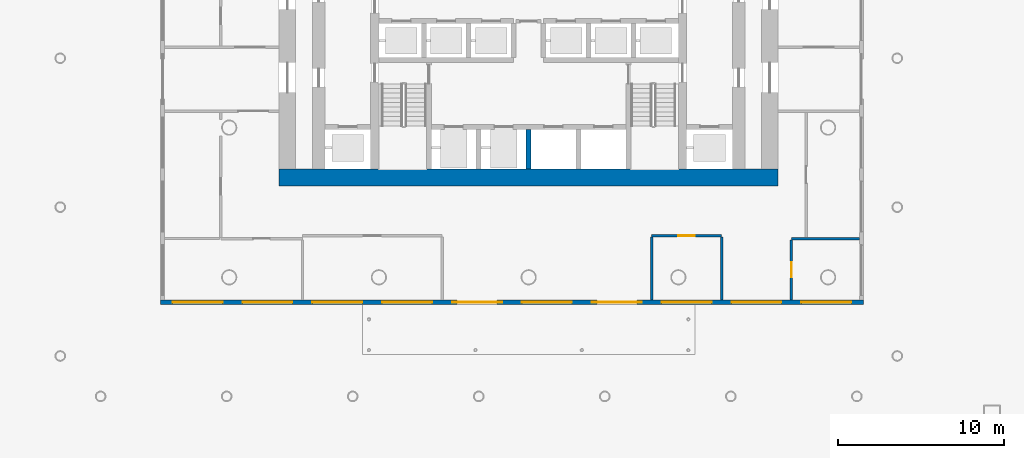
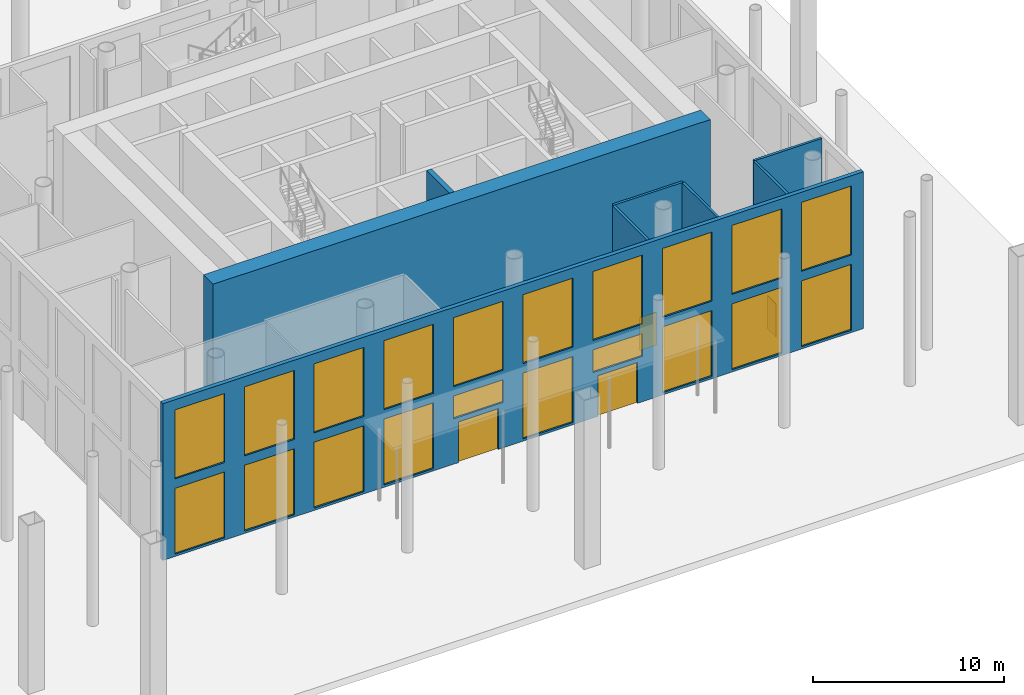
# One storey, part 10 of 18: 20 windows, 8 walls, 4 doors, 24 openings.
"""IFC4 building model written with IfcOpenShell, lengths in metres."""

from ifc_helpers import new_model, si_unit, direction, frame, frame_2d, origin, place, context, subcontext, project, spatial, rectangle, extrude, material, layer, layer_set, type_object, element, fill, save


model = new_model("IFC4")

# Units and contexts
model_context = context("Model", 3, precision=1e-05, world=origin(), true_north=direction((0.0, 1.0)))
body_context = subcontext(model_context, "Body", "Model", "MODEL_VIEW")
ifc_project = project(units=[si_unit("LENGTHUNIT", "METRE"), si_unit("AREAUNIT", "SQUARE_METRE"), si_unit("VOLUMEUNIT", "CUBIC_METRE"), si_unit("PLANEANGLEUNIT", "RADIAN"), si_unit("MASSUNIT", "GRAM", prefix="KILO")], contexts=[model_context])

# Site, building, storey
site_placement = place(None, origin())
site = spatial("IfcSite", under=ifc_project, at=site_placement, CompositionType="ELEMENT")
building_placement = place(site_placement, origin())
building = spatial("IfcBuilding", under=site, at=building_placement, Name="Tskaro Facet Tower", CompositionType="ELEMENT")
storey_placement = place(building_placement, origin())
storey = spatial("IfcBuildingStorey", under=building, at=storey_placement, Name="L00", CompositionType="ELEMENT", Elevation=0.0)

# Wall
ifc_material_1 = material(Name="Concrete C60/75", Category="concrete")
ifc_layer_1 = layer(ifc_material_1, 0.300048828125, Name="Concrete C60/75")
ifc_layer_set_1 = layer_set([ifc_layer_1], Name="Concrete C60/75")
wall_type_1 = type_object("IfcWallType", Name="CORE-SHAFT", PredefinedType="SHEAR", material=ifc_layer_set_1)
wall_1_placement = place(storey_placement, frame((0.0, -11.5, 0.0), z_axis=(0.0, 0.0, 1.0), x_axis=(0.0, 1.0, 0.0)))
element("IfcWall", 1, at=wall_1_placement, inside=storey, type_object=wall_type_1, Name="Shaft wall W049", PredefinedType="SHEAR", context=body_context, shape_type="SweptSolid", body=[
    extrude(rectangle(XDim=2.39990234375, YDim=0.300048828125, at=frame_2d((1.199951171875, 0.0))), origin(), (0.0, 0.0, 1.0), 10.800048828125),
])

# Wall, openings, windows, doors
ifc_material_2 = material(Name="Bronze anodised aluminium cladding 5005-H34", Category="aluminium")
ifc_layer_2 = layer(ifc_material_2, 0.25, Name="Bronze anodised aluminium cladding 5005-H34")
ifc_layer_set_2 = layer_set([ifc_layer_2], Name="Bronze anodised aluminium cladding 5005-H34")
wall_type_2 = type_object("IfcWallType", Name="Concourse frame wall", PredefinedType="STANDARD", material=ifc_layer_set_2)
wall_2_placement = place(storey_placement, frame((-22.125, -19.5, 0.0), z_axis=(0.0, 0.0, 1.0), x_axis=(1.0, 0.0, 0.0)))
wall_2 = element("IfcWall", 2, at=wall_2_placement, inside=storey, type_object=wall_type_2, Name="Concourse wall south", PredefinedType="STANDARD", context=body_context, shape_type="SweptSolid", body=[
    extrude(rectangle(XDim=42.25, YDim=0.25, at=frame_2d((21.125, 0.0))), origin(), (0.0, 0.0, 1.0), 10.0),
])
opening_1_placement = place(wall_2_placement, frame((0.72509765625, 0.0, 0.14990234375)))
opening_1 = element("IfcOpeningElement", 3, at=opening_1_placement, cuts=wall_2, Name="Opening GW1", PredefinedType="OPENING", context=body_context, shape_type="SweptSolid", body=[
    extrude(rectangle(XDim=3.0, YDim=4.199951171875, at=frame_2d((1.5, 2.10009765625))), frame((0.0, 0.135009765625, 0.0), z_axis=(0.0, -1.0, 0.0), x_axis=(1.0, 0.0, 0.0)), (0.0, 0.0, 1.0), 0.27001953125),
])
opening_2_placement = place(wall_2_placement, frame((0.72509765625, 0.0, 4.949951171875)))
opening_2 = element("IfcOpeningElement", 4, at=opening_2_placement, cuts=wall_2, Name="Opening GW2", PredefinedType="OPENING", context=body_context, shape_type="SweptSolid", body=[
    extrude(rectangle(XDim=3.0, YDim=4.39990234375, at=frame_2d((1.5, 2.199951171875))), frame((0.0, 0.135009765625, 0.0), z_axis=(0.0, -1.0, 0.0), x_axis=(1.0, 0.0, 0.0)), (0.0, 0.0, 1.0), 0.27001953125),
])
opening_3_placement = place(wall_2_placement, frame((4.925048828125, 0.0, 0.14990234375)))
opening_3 = element("IfcOpeningElement", 5, at=opening_3_placement, cuts=wall_2, Name="Opening GW1", PredefinedType="OPENING", context=body_context, shape_type="SweptSolid", body=[
    extrude(rectangle(XDim=3.0, YDim=4.199951171875, at=frame_2d((1.5, 2.10009765625))), frame((0.0, 0.135009765625, 0.0), z_axis=(0.0, -1.0, 0.0), x_axis=(1.0, 0.0, 0.0)), (0.0, 0.0, 1.0), 0.27001953125),
])
opening_4_placement = place(wall_2_placement, frame((4.925048828125, 0.0, 4.949951171875)))
opening_4 = element("IfcOpeningElement", 6, at=opening_4_placement, cuts=wall_2, Name="Opening GW2", PredefinedType="OPENING", context=body_context, shape_type="SweptSolid", body=[
    extrude(rectangle(XDim=3.0, YDim=4.39990234375, at=frame_2d((1.5, 2.199951171875))), frame((0.0, 0.135009765625, 0.0), z_axis=(0.0, -1.0, 0.0), x_axis=(1.0, 0.0, 0.0)), (0.0, 0.0, 1.0), 0.27001953125),
])
opening_5_placement = place(wall_2_placement, frame((9.125, 0.0, 0.14990234375)))
opening_5 = element("IfcOpeningElement", 7, at=opening_5_placement, cuts=wall_2, Name="Opening GW1", PredefinedType="OPENING", context=body_context, shape_type="SweptSolid", body=[
    extrude(rectangle(XDim=3.0, YDim=4.199951171875, at=frame_2d((1.5, 2.10009765625))), frame((0.0, 0.135009765625, 0.0), z_axis=(0.0, -1.0, 0.0), x_axis=(1.0, 0.0, 0.0)), (0.0, 0.0, 1.0), 0.27001953125),
])
opening_6_placement = place(wall_2_placement, frame((9.125, 0.0, 4.949951171875)))
opening_6 = element("IfcOpeningElement", 8, at=opening_6_placement, cuts=wall_2, Name="Opening GW2", PredefinedType="OPENING", context=body_context, shape_type="SweptSolid", body=[
    extrude(rectangle(XDim=3.0, YDim=4.39990234375, at=frame_2d((1.5, 2.199951171875))), frame((0.0, 0.135009765625, 0.0), z_axis=(0.0, -1.0, 0.0), x_axis=(1.0, 0.0, 0.0)), (0.0, 0.0, 1.0), 0.27001953125),
])
opening_7_placement = place(wall_2_placement, frame((13.324951171875, 0.0, 0.14990234375)))
opening_7 = element("IfcOpeningElement", 9, at=opening_7_placement, cuts=wall_2, Name="Opening GW1", PredefinedType="OPENING", context=body_context, shape_type="SweptSolid", body=[
    extrude(rectangle(XDim=3.0, YDim=4.199951171875, at=frame_2d((1.5, 2.10009765625))), frame((0.0, 0.135009765625, 0.0), z_axis=(0.0, -1.0, 0.0), x_axis=(1.0, 0.0, 0.0)), (0.0, 0.0, 1.0), 0.27001953125),
])
opening_8_placement = place(wall_2_placement, frame((13.324951171875, 0.0, 4.949951171875)))
opening_8 = element("IfcOpeningElement", 10, at=opening_8_placement, cuts=wall_2, Name="Opening GW2", PredefinedType="OPENING", context=body_context, shape_type="SweptSolid", body=[
    extrude(rectangle(XDim=3.0, YDim=4.39990234375, at=frame_2d((1.5, 2.199951171875))), frame((0.0, 0.135009765625, 0.0), z_axis=(0.0, -1.0, 0.0), x_axis=(1.0, 0.0, 0.0)), (0.0, 0.0, 1.0), 0.27001953125),
])
opening_9_placement = place(wall_2_placement, frame((17.824951171875, 0.0, 0.0)))
opening_9 = element("IfcOpeningElement", 11, at=opening_9_placement, cuts=wall_2, Name="Opening E01", PredefinedType="OPENING", context=body_context, shape_type="SweptSolid", body=[
    extrude(rectangle(XDim=2.39990234375, YDim=2.60009765625, at=frame_2d((1.199951171875, 1.300048828125))), frame((0.0, 0.135009765625, 0.0), z_axis=(0.0, -1.0, 0.0), x_axis=(1.0, 0.0, 0.0)), (0.0, 0.0, 1.0), 0.27001953125),
])
opening_10_placement = place(wall_2_placement, frame((17.52490234375, 0.0, 2.89990234375)))
opening_10 = element("IfcOpeningElement", 12, at=opening_10_placement, cuts=wall_2, Name="Opening GW3", PredefinedType="OPENING", context=body_context, shape_type="SweptSolid", body=[
    extrude(rectangle(XDim=3.0, YDim=1.449951171875, at=frame_2d((1.5, 0.72509765625))), frame((0.0, 0.135009765625, 0.0), z_axis=(0.0, -1.0, 0.0), x_axis=(1.0, 0.0, 0.0)), (0.0, 0.0, 1.0), 0.27001953125),
])
opening_11_placement = place(wall_2_placement, frame((17.52490234375, 0.0, 4.949951171875)))
opening_11 = element("IfcOpeningElement", 13, at=opening_11_placement, cuts=wall_2, Name="Opening GW2", PredefinedType="OPENING", context=body_context, shape_type="SweptSolid", body=[
    extrude(rectangle(XDim=3.0, YDim=4.39990234375, at=frame_2d((1.5, 2.199951171875))), frame((0.0, 0.135009765625, 0.0), z_axis=(0.0, -1.0, 0.0), x_axis=(1.0, 0.0, 0.0)), (0.0, 0.0, 1.0), 0.27001953125),
])
opening_12_placement = place(wall_2_placement, frame((21.72509765625, 0.0, 0.14990234375)))
opening_12 = element("IfcOpeningElement", 14, at=opening_12_placement, cuts=wall_2, Name="Opening GW1", PredefinedType="OPENING", context=body_context, shape_type="SweptSolid", body=[
    extrude(rectangle(XDim=3.0, YDim=4.199951171875, at=frame_2d((1.5, 2.10009765625))), frame((0.0, 0.135009765625, 0.0), z_axis=(0.0, -1.0, 0.0), x_axis=(1.0, 0.0, 0.0)), (0.0, 0.0, 1.0), 0.27001953125),
])
opening_13_placement = place(wall_2_placement, frame((21.72509765625, 0.0, 4.949951171875)))
opening_13 = element("IfcOpeningElement", 15, at=opening_13_placement, cuts=wall_2, Name="Opening GW2", PredefinedType="OPENING", context=body_context, shape_type="SweptSolid", body=[
    extrude(rectangle(XDim=3.0, YDim=4.39990234375, at=frame_2d((1.5, 2.199951171875))), frame((0.0, 0.135009765625, 0.0), z_axis=(0.0, -1.0, 0.0), x_axis=(1.0, 0.0, 0.0)), (0.0, 0.0, 1.0), 0.27001953125),
])
opening_14_placement = place(wall_2_placement, frame((26.22509765625, 0.0, 0.0)))
opening_14 = element("IfcOpeningElement", 16, at=opening_14_placement, cuts=wall_2, Name="Opening E02", PredefinedType="OPENING", context=body_context, shape_type="SweptSolid", body=[
    extrude(rectangle(XDim=2.39990234375, YDim=2.60009765625, at=frame_2d((1.199951171875, 1.300048828125))), frame((0.0, 0.135009765625, 0.0), z_axis=(0.0, -1.0, 0.0), x_axis=(1.0, 0.0, 0.0)), (0.0, 0.0, 1.0), 0.27001953125),
])
opening_15_placement = place(wall_2_placement, frame((25.925048828125, 0.0, 2.89990234375)))
opening_15 = element("IfcOpeningElement", 17, at=opening_15_placement, cuts=wall_2, Name="Opening GW3", PredefinedType="OPENING", context=body_context, shape_type="SweptSolid", body=[
    extrude(rectangle(XDim=3.0, YDim=1.449951171875, at=frame_2d((1.5, 0.72509765625))), frame((0.0, 0.135009765625, 0.0), z_axis=(0.0, -1.0, 0.0), x_axis=(1.0, 0.0, 0.0)), (0.0, 0.0, 1.0), 0.27001953125),
])
opening_16_placement = place(wall_2_placement, frame((25.925048828125, 0.0, 4.949951171875)))
opening_16 = element("IfcOpeningElement", 18, at=opening_16_placement, cuts=wall_2, Name="Opening GW2", PredefinedType="OPENING", context=body_context, shape_type="SweptSolid", body=[
    extrude(rectangle(XDim=3.0, YDim=4.39990234375, at=frame_2d((1.5, 2.199951171875))), frame((0.0, 0.135009765625, 0.0), z_axis=(0.0, -1.0, 0.0), x_axis=(1.0, 0.0, 0.0)), (0.0, 0.0, 1.0), 0.27001953125),
])
opening_17_placement = place(wall_2_placement, frame((30.125, 0.0, 0.14990234375)))
opening_17 = element("IfcOpeningElement", 19, at=opening_17_placement, cuts=wall_2, Name="Opening GW1", PredefinedType="OPENING", context=body_context, shape_type="SweptSolid", body=[
    extrude(rectangle(XDim=3.0, YDim=4.199951171875, at=frame_2d((1.5, 2.10009765625))), frame((0.0, 0.135009765625, 0.0), z_axis=(0.0, -1.0, 0.0), x_axis=(1.0, 0.0, 0.0)), (0.0, 0.0, 1.0), 0.27001953125),
])
opening_18_placement = place(wall_2_placement, frame((30.125, 0.0, 4.949951171875)))
opening_18 = element("IfcOpeningElement", 20, at=opening_18_placement, cuts=wall_2, Name="Opening GW2", PredefinedType="OPENING", context=body_context, shape_type="SweptSolid", body=[
    extrude(rectangle(XDim=3.0, YDim=4.39990234375, at=frame_2d((1.5, 2.199951171875))), frame((0.0, 0.135009765625, 0.0), z_axis=(0.0, -1.0, 0.0), x_axis=(1.0, 0.0, 0.0)), (0.0, 0.0, 1.0), 0.27001953125),
])
opening_19_placement = place(wall_2_placement, frame((34.324951171875, 0.0, 0.14990234375)))
opening_19 = element("IfcOpeningElement", 21, at=opening_19_placement, cuts=wall_2, Name="Opening GW1", PredefinedType="OPENING", context=body_context, shape_type="SweptSolid", body=[
    extrude(rectangle(XDim=3.0, YDim=4.199951171875, at=frame_2d((1.5, 2.10009765625))), frame((0.0, 0.135009765625, 0.0), z_axis=(0.0, -1.0, 0.0), x_axis=(1.0, 0.0, 0.0)), (0.0, 0.0, 1.0), 0.27001953125),
])
opening_20_placement = place(wall_2_placement, frame((34.324951171875, 0.0, 4.949951171875)))
opening_20 = element("IfcOpeningElement", 22, at=opening_20_placement, cuts=wall_2, Name="Opening GW2", PredefinedType="OPENING", context=body_context, shape_type="SweptSolid", body=[
    extrude(rectangle(XDim=3.0, YDim=4.39990234375, at=frame_2d((1.5, 2.199951171875))), frame((0.0, 0.135009765625, 0.0), z_axis=(0.0, -1.0, 0.0), x_axis=(1.0, 0.0, 0.0)), (0.0, 0.0, 1.0), 0.27001953125),
])
opening_21_placement = place(wall_2_placement, frame((38.52490234375, 0.0, 0.14990234375)))
opening_21 = element("IfcOpeningElement", 23, at=opening_21_placement, cuts=wall_2, Name="Opening GW1", PredefinedType="OPENING", context=body_context, shape_type="SweptSolid", body=[
    extrude(rectangle(XDim=3.0, YDim=4.199951171875, at=frame_2d((1.5, 2.10009765625))), frame((0.0, 0.135009765625, 0.0), z_axis=(0.0, -1.0, 0.0), x_axis=(1.0, 0.0, 0.0)), (0.0, 0.0, 1.0), 0.27001953125),
])
opening_22_placement = place(wall_2_placement, frame((38.52490234375, 0.0, 4.949951171875)))
opening_22 = element("IfcOpeningElement", 24, at=opening_22_placement, cuts=wall_2, Name="Opening GW2", PredefinedType="OPENING", context=body_context, shape_type="SweptSolid", body=[
    extrude(rectangle(XDim=3.0, YDim=4.39990234375, at=frame_2d((1.5, 2.199951171875))), frame((0.0, 0.135009765625, 0.0), z_axis=(0.0, -1.0, 0.0), x_axis=(1.0, 0.0, 0.0)), (0.0, 0.0, 1.0), 0.27001953125),
])
ifc_material_3 = material(Name="Bronze tinted glass", Category="glass")
window_type_1 = type_object("IfcWindowType", Name="Concourse transom light 3000x1450", PartitioningType="SINGLE_PANEL", PredefinedType="WINDOW", material=ifc_material_3)
window_1_placement = place(opening_10_placement, origin())
window_1 = element("IfcWindow", 25, at=window_1_placement, inside=storey, type_object=window_type_1, Name="Concourse transom light south 5", OverallHeight=1.449951171875, OverallWidth=3.0, PartitioningType="SINGLE_PANEL", PredefinedType="WINDOW", context=body_context, shape_type="SweptSolid", body=[
    extrude(rectangle(XDim=3.0, YDim=1.449951171875, at=frame_2d((1.5, 0.72509765625))), frame((0.0, 0.030029296875, 0.0), z_axis=(0.0, -1.0, 0.0), x_axis=(1.0, 0.0, 0.0)), (0.0, 0.0, 1.0), 0.06005859375),
])
fill(opening_10, window_1)
window_2_placement = place(opening_15_placement, origin())
window_2 = element("IfcWindow", 26, at=window_2_placement, inside=storey, type_object=window_type_1, Name="Concourse transom light south 7", OverallHeight=1.449951171875, OverallWidth=3.0, PartitioningType="SINGLE_PANEL", PredefinedType="WINDOW", context=body_context, shape_type="SweptSolid", body=[
    extrude(rectangle(XDim=3.0, YDim=1.449951171875, at=frame_2d((1.5, 0.72509765625))), frame((0.0, 0.030029296875, 0.0), z_axis=(0.0, -1.0, 0.0), x_axis=(1.0, 0.0, 0.0)), (0.0, 0.0, 1.0), 0.06005859375),
])
fill(opening_15, window_2)
window_type_2 = type_object("IfcWindowType", Name="Concourse window 3000x4200", PartitioningType="DOUBLE_PANEL_HORIZONTAL", PredefinedType="WINDOW", material=ifc_material_3)
window_3_placement = place(opening_1_placement, origin())
window_3 = element("IfcWindow", 27, at=window_3_placement, inside=storey, type_object=window_type_2, Name="Concourse window south 1 lower", OverallHeight=4.199951171875, OverallWidth=3.0, PartitioningType="DOUBLE_PANEL_HORIZONTAL", PredefinedType="WINDOW", context=body_context, shape_type="SweptSolid", body=[
    extrude(rectangle(XDim=3.0, YDim=4.199951171875, at=frame_2d((1.5, 2.10009765625))), frame((0.0, 0.030029296875, 0.0), z_axis=(0.0, -1.0, 0.0), x_axis=(1.0, 0.0, 0.0)), (0.0, 0.0, 1.0), 0.06005859375),
])
fill(opening_1, window_3)
window_4_placement = place(opening_3_placement, origin())
window_4 = element("IfcWindow", 28, at=window_4_placement, inside=storey, type_object=window_type_2, Name="Concourse window south 2 lower", OverallHeight=4.199951171875, OverallWidth=3.0, PartitioningType="DOUBLE_PANEL_HORIZONTAL", PredefinedType="WINDOW", context=body_context, shape_type="SweptSolid", body=[
    extrude(rectangle(XDim=3.0, YDim=4.199951171875, at=frame_2d((1.5, 2.10009765625))), frame((0.0, 0.030029296875, 0.0), z_axis=(0.0, -1.0, 0.0), x_axis=(1.0, 0.0, 0.0)), (0.0, 0.0, 1.0), 0.06005859375),
])
fill(opening_3, window_4)
window_5_placement = place(opening_5_placement, origin())
window_5 = element("IfcWindow", 29, at=window_5_placement, inside=storey, type_object=window_type_2, Name="Concourse window south 3 lower", OverallHeight=4.199951171875, OverallWidth=3.0, PartitioningType="DOUBLE_PANEL_HORIZONTAL", PredefinedType="WINDOW", context=body_context, shape_type="SweptSolid", body=[
    extrude(rectangle(XDim=3.0, YDim=4.199951171875, at=frame_2d((1.5, 2.10009765625))), frame((0.0, 0.030029296875, 0.0), z_axis=(0.0, -1.0, 0.0), x_axis=(1.0, 0.0, 0.0)), (0.0, 0.0, 1.0), 0.06005859375),
])
fill(opening_5, window_5)
window_6_placement = place(opening_7_placement, origin())
window_6 = element("IfcWindow", 30, at=window_6_placement, inside=storey, type_object=window_type_2, Name="Concourse window south 4 lower", OverallHeight=4.199951171875, OverallWidth=3.0, PartitioningType="DOUBLE_PANEL_HORIZONTAL", PredefinedType="WINDOW", context=body_context, shape_type="SweptSolid", body=[
    extrude(rectangle(XDim=3.0, YDim=4.199951171875, at=frame_2d((1.5, 2.10009765625))), frame((0.0, 0.030029296875, 0.0), z_axis=(0.0, -1.0, 0.0), x_axis=(1.0, 0.0, 0.0)), (0.0, 0.0, 1.0), 0.06005859375),
])
fill(opening_7, window_6)
window_7_placement = place(opening_12_placement, origin())
window_7 = element("IfcWindow", 31, at=window_7_placement, inside=storey, type_object=window_type_2, Name="Concourse window south 6 lower", OverallHeight=4.199951171875, OverallWidth=3.0, PartitioningType="DOUBLE_PANEL_HORIZONTAL", PredefinedType="WINDOW", context=body_context, shape_type="SweptSolid", body=[
    extrude(rectangle(XDim=3.0, YDim=4.199951171875, at=frame_2d((1.5, 2.10009765625))), frame((0.0, 0.030029296875, 0.0), z_axis=(0.0, -1.0, 0.0), x_axis=(1.0, 0.0, 0.0)), (0.0, 0.0, 1.0), 0.06005859375),
])
fill(opening_12, window_7)
window_8_placement = place(opening_17_placement, origin())
window_8 = element("IfcWindow", 32, at=window_8_placement, inside=storey, type_object=window_type_2, Name="Concourse window south 8 lower", OverallHeight=4.199951171875, OverallWidth=3.0, PartitioningType="DOUBLE_PANEL_HORIZONTAL", PredefinedType="WINDOW", context=body_context, shape_type="SweptSolid", body=[
    extrude(rectangle(XDim=3.0, YDim=4.199951171875, at=frame_2d((1.5, 2.10009765625))), frame((0.0, 0.030029296875, 0.0), z_axis=(0.0, -1.0, 0.0), x_axis=(1.0, 0.0, 0.0)), (0.0, 0.0, 1.0), 0.06005859375),
])
fill(opening_17, window_8)
window_9_placement = place(opening_19_placement, origin())
window_9 = element("IfcWindow", 33, at=window_9_placement, inside=storey, type_object=window_type_2, Name="Concourse window south 9 lower", OverallHeight=4.199951171875, OverallWidth=3.0, PartitioningType="DOUBLE_PANEL_HORIZONTAL", PredefinedType="WINDOW", context=body_context, shape_type="SweptSolid", body=[
    extrude(rectangle(XDim=3.0, YDim=4.199951171875, at=frame_2d((1.5, 2.10009765625))), frame((0.0, 0.030029296875, 0.0), z_axis=(0.0, -1.0, 0.0), x_axis=(1.0, 0.0, 0.0)), (0.0, 0.0, 1.0), 0.06005859375),
])
fill(opening_19, window_9)
window_10_placement = place(opening_21_placement, origin())
window_10 = element("IfcWindow", 34, at=window_10_placement, inside=storey, type_object=window_type_2, Name="Concourse window south 10 lower", OverallHeight=4.199951171875, OverallWidth=3.0, PartitioningType="DOUBLE_PANEL_HORIZONTAL", PredefinedType="WINDOW", context=body_context, shape_type="SweptSolid", body=[
    extrude(rectangle(XDim=3.0, YDim=4.199951171875, at=frame_2d((1.5, 2.10009765625))), frame((0.0, 0.030029296875, 0.0), z_axis=(0.0, -1.0, 0.0), x_axis=(1.0, 0.0, 0.0)), (0.0, 0.0, 1.0), 0.06005859375),
])
fill(opening_21, window_10)
window_type_3 = type_object("IfcWindowType", Name="Concourse window 3000x4400", PartitioningType="DOUBLE_PANEL_HORIZONTAL", PredefinedType="WINDOW", material=ifc_material_3)
window_11_placement = place(opening_2_placement, origin())
window_11 = element("IfcWindow", 35, at=window_11_placement, inside=storey, type_object=window_type_3, Name="Concourse window south 1 upper", OverallHeight=4.39990234375, OverallWidth=3.0, PartitioningType="DOUBLE_PANEL_HORIZONTAL", PredefinedType="WINDOW", context=body_context, shape_type="SweptSolid", body=[
    extrude(rectangle(XDim=3.0, YDim=4.39990234375, at=frame_2d((1.5, 2.199951171875))), frame((0.0, 0.030029296875, 0.0), z_axis=(0.0, -1.0, 0.0), x_axis=(1.0, 0.0, 0.0)), (0.0, 0.0, 1.0), 0.06005859375),
])
fill(opening_2, window_11)
window_12_placement = place(opening_4_placement, origin())
window_12 = element("IfcWindow", 36, at=window_12_placement, inside=storey, type_object=window_type_3, Name="Concourse window south 2 upper", OverallHeight=4.39990234375, OverallWidth=3.0, PartitioningType="DOUBLE_PANEL_HORIZONTAL", PredefinedType="WINDOW", context=body_context, shape_type="SweptSolid", body=[
    extrude(rectangle(XDim=3.0, YDim=4.39990234375, at=frame_2d((1.5, 2.199951171875))), frame((0.0, 0.030029296875, 0.0), z_axis=(0.0, -1.0, 0.0), x_axis=(1.0, 0.0, 0.0)), (0.0, 0.0, 1.0), 0.06005859375),
])
fill(opening_4, window_12)
window_13_placement = place(opening_6_placement, origin())
window_13 = element("IfcWindow", 37, at=window_13_placement, inside=storey, type_object=window_type_3, Name="Concourse window south 3 upper", OverallHeight=4.39990234375, OverallWidth=3.0, PartitioningType="DOUBLE_PANEL_HORIZONTAL", PredefinedType="WINDOW", context=body_context, shape_type="SweptSolid", body=[
    extrude(rectangle(XDim=3.0, YDim=4.39990234375, at=frame_2d((1.5, 2.199951171875))), frame((0.0, 0.030029296875, 0.0), z_axis=(0.0, -1.0, 0.0), x_axis=(1.0, 0.0, 0.0)), (0.0, 0.0, 1.0), 0.06005859375),
])
fill(opening_6, window_13)
window_14_placement = place(opening_8_placement, origin())
window_14 = element("IfcWindow", 38, at=window_14_placement, inside=storey, type_object=window_type_3, Name="Concourse window south 4 upper", OverallHeight=4.39990234375, OverallWidth=3.0, PartitioningType="DOUBLE_PANEL_HORIZONTAL", PredefinedType="WINDOW", context=body_context, shape_type="SweptSolid", body=[
    extrude(rectangle(XDim=3.0, YDim=4.39990234375, at=frame_2d((1.5, 2.199951171875))), frame((0.0, 0.030029296875, 0.0), z_axis=(0.0, -1.0, 0.0), x_axis=(1.0, 0.0, 0.0)), (0.0, 0.0, 1.0), 0.06005859375),
])
fill(opening_8, window_14)
window_15_placement = place(opening_11_placement, origin())
window_15 = element("IfcWindow", 39, at=window_15_placement, inside=storey, type_object=window_type_3, Name="Concourse window south 5 upper", OverallHeight=4.39990234375, OverallWidth=3.0, PartitioningType="DOUBLE_PANEL_HORIZONTAL", PredefinedType="WINDOW", context=body_context, shape_type="SweptSolid", body=[
    extrude(rectangle(XDim=3.0, YDim=4.39990234375, at=frame_2d((1.5, 2.199951171875))), frame((0.0, 0.030029296875, 0.0), z_axis=(0.0, -1.0, 0.0), x_axis=(1.0, 0.0, 0.0)), (0.0, 0.0, 1.0), 0.06005859375),
])
fill(opening_11, window_15)
window_16_placement = place(opening_13_placement, origin())
window_16 = element("IfcWindow", 40, at=window_16_placement, inside=storey, type_object=window_type_3, Name="Concourse window south 6 upper", OverallHeight=4.39990234375, OverallWidth=3.0, PartitioningType="DOUBLE_PANEL_HORIZONTAL", PredefinedType="WINDOW", context=body_context, shape_type="SweptSolid", body=[
    extrude(rectangle(XDim=3.0, YDim=4.39990234375, at=frame_2d((1.5, 2.199951171875))), frame((0.0, 0.030029296875, 0.0), z_axis=(0.0, -1.0, 0.0), x_axis=(1.0, 0.0, 0.0)), (0.0, 0.0, 1.0), 0.06005859375),
])
fill(opening_13, window_16)
window_17_placement = place(opening_16_placement, origin())
window_17 = element("IfcWindow", 41, at=window_17_placement, inside=storey, type_object=window_type_3, Name="Concourse window south 7 upper", OverallHeight=4.39990234375, OverallWidth=3.0, PartitioningType="DOUBLE_PANEL_HORIZONTAL", PredefinedType="WINDOW", context=body_context, shape_type="SweptSolid", body=[
    extrude(rectangle(XDim=3.0, YDim=4.39990234375, at=frame_2d((1.5, 2.199951171875))), frame((0.0, 0.030029296875, 0.0), z_axis=(0.0, -1.0, 0.0), x_axis=(1.0, 0.0, 0.0)), (0.0, 0.0, 1.0), 0.06005859375),
])
fill(opening_16, window_17)
window_18_placement = place(opening_18_placement, origin())
window_18 = element("IfcWindow", 42, at=window_18_placement, inside=storey, type_object=window_type_3, Name="Concourse window south 8 upper", OverallHeight=4.39990234375, OverallWidth=3.0, PartitioningType="DOUBLE_PANEL_HORIZONTAL", PredefinedType="WINDOW", context=body_context, shape_type="SweptSolid", body=[
    extrude(rectangle(XDim=3.0, YDim=4.39990234375, at=frame_2d((1.5, 2.199951171875))), frame((0.0, 0.030029296875, 0.0), z_axis=(0.0, -1.0, 0.0), x_axis=(1.0, 0.0, 0.0)), (0.0, 0.0, 1.0), 0.06005859375),
])
fill(opening_18, window_18)
window_19_placement = place(opening_20_placement, origin())
window_19 = element("IfcWindow", 43, at=window_19_placement, inside=storey, type_object=window_type_3, Name="Concourse window south 9 upper", OverallHeight=4.39990234375, OverallWidth=3.0, PartitioningType="DOUBLE_PANEL_HORIZONTAL", PredefinedType="WINDOW", context=body_context, shape_type="SweptSolid", body=[
    extrude(rectangle(XDim=3.0, YDim=4.39990234375, at=frame_2d((1.5, 2.199951171875))), frame((0.0, 0.030029296875, 0.0), z_axis=(0.0, -1.0, 0.0), x_axis=(1.0, 0.0, 0.0)), (0.0, 0.0, 1.0), 0.06005859375),
])
fill(opening_20, window_19)
window_20_placement = place(opening_22_placement, origin())
window_20 = element("IfcWindow", 44, at=window_20_placement, inside=storey, type_object=window_type_3, Name="Concourse window south 10 upper", OverallHeight=4.39990234375, OverallWidth=3.0, PartitioningType="DOUBLE_PANEL_HORIZONTAL", PredefinedType="WINDOW", context=body_context, shape_type="SweptSolid", body=[
    extrude(rectangle(XDim=3.0, YDim=4.39990234375, at=frame_2d((1.5, 2.199951171875))), frame((0.0, 0.030029296875, 0.0), z_axis=(0.0, -1.0, 0.0), x_axis=(1.0, 0.0, 0.0)), (0.0, 0.0, 1.0), 0.06005859375),
])
fill(opening_22, window_20)
ifc_material_4 = material(Name="Bronze anodised aluminium 6063-T6 and glass", Category="aluminium")
door_type_1 = type_object("IfcDoorType", Name="Revolving entrance door 2400x2600", OperationType="REVOLVING", PredefinedType="DOOR", material=ifc_material_4)
door_1_placement = place(opening_14_placement, origin())
door_1 = element("IfcDoor", 45, at=door_1_placement, inside=storey, type_object=door_type_1, Name="Entrance door south 7", OperationType="REVOLVING", OverallHeight=2.60009765625, OverallWidth=2.39990234375, PredefinedType="DOOR", context=body_context, shape_type="SweptSolid", body=[
    extrude(rectangle(XDim=2.39990234375, YDim=2.60009765625, at=frame_2d((1.199951171875, 1.300048828125))), frame((0.0, 0.02490234375, 0.0), z_axis=(0.0, -1.0, 0.0), x_axis=(1.0, 0.0, 0.0)), (0.0, 0.0, 1.0), 0.050048828125),
])
fill(opening_14, door_1)
door_type_2 = type_object("IfcDoorType", Name="Sliding entrance door 2400x2600", OperationType="DOUBLE_DOOR_SLIDING", PredefinedType="DOOR", material=ifc_material_4)
door_2_placement = place(opening_9_placement, origin())
door_2 = element("IfcDoor", 46, at=door_2_placement, inside=storey, type_object=door_type_2, Name="Entrance door south 5", OperationType="DOUBLE_DOOR_SLIDING", OverallHeight=2.60009765625, OverallWidth=2.39990234375, PredefinedType="DOOR", context=body_context, shape_type="SweptSolid", body=[
    extrude(rectangle(XDim=2.39990234375, YDim=2.60009765625, at=frame_2d((1.199951171875, 1.300048828125))), frame((0.0, 0.02490234375, 0.0), z_axis=(0.0, -1.0, 0.0), x_axis=(1.0, 0.0, 0.0)), (0.0, 0.0, 1.0), 0.050048828125),
])
fill(opening_9, door_2)

# Walls
ifc_layer_3 = layer(ifc_material_1, 1.0, Name="Concrete C60/75")
ifc_layer_set_3 = layer_set([ifc_layer_3], Name="Concrete C60/75")
wall_type_3 = type_object("IfcWallType", Name="Core wall 1000", PredefinedType="SHEAR", material=ifc_layer_set_3)
wall_3_placement = place(storey_placement, frame((-15.0, -12.0, 0.0), z_axis=(0.0, 0.0, 1.0), x_axis=(1.0, 0.0, 0.0)))
element("IfcWall", 47, at=wall_3_placement, inside=storey, type_object=wall_type_3, Name="Core wall CW-Z1S", PredefinedType="SHEAR", context=body_context, shape_type="SweptSolid", body=[
    extrude(rectangle(XDim=30.0, YDim=1.0, at=frame_2d((15.0, 0.0))), origin(), (0.0, 0.0, 1.0), 10.800048828125),
])
ifc_material_5 = material(Name="Gypsum board on steel studs", Category="steel")
ifc_layer_4 = layer(ifc_material_5, 0.14990234375, Name="Gypsum board on steel studs")
ifc_layer_set_4 = layer_set([ifc_layer_4], Name="Gypsum board on steel studs")
wall_type_4 = type_object("IfcWallType", Name="PART-CORR", PredefinedType="PARTITIONING", material=ifc_layer_set_4)
wall_4_placement = place(storey_placement, frame((15.800048828125, -15.6689453125, 0.0), z_axis=(0.0, 0.0, 1.0), x_axis=(1.0, 0.0, 0.0)))
element("IfcWall", 48, at=wall_4_placement, inside=storey, type_object=wall_type_4, Name="Corridor wall W003", PredefinedType="PARTITIONING", context=body_context, shape_type="SweptSolid", body=[
    extrude(rectangle(XDim=4.074951171875, YDim=0.14990234375, at=frame_2d((2.03759765625, 0.0))), origin(), (0.0, 0.0, 1.0), 9.860107421875),
])

# Wall, opening, door
wall_5_placement = place(storey_placement, frame((11.60009765625, -15.5, 0.0), z_axis=(0.0, 0.0, 1.0), x_axis=(-1.0, 0.0, 0.0)))
wall_5 = element("IfcWall", 49, at=wall_5_placement, inside=storey, type_object=wall_type_4, Name="Corridor wall W005", PredefinedType="PARTITIONING", context=body_context, shape_type="SweptSolid", body=[
    extrude(rectangle(XDim=4.2001953125, YDim=0.14990234375, at=frame_2d((2.10009765625, 0.0))), origin(), (0.0, 0.0, 1.0), 9.860107421875),
])
opening_23_placement = place(wall_5_placement, frame((1.60009765625, 0.0, 0.0)))
opening_23 = element("IfcOpeningElement", 50, at=opening_23_placement, cuts=wall_5, Name="Opening G-D04", PredefinedType="OPENING", context=body_context, shape_type="SweptSolid", body=[
    extrude(rectangle(XDim=1.0, YDim=2.10009765625, at=frame_2d((0.5, 1.050048828125))), frame((0.0, 0.0849609375, 0.0), z_axis=(0.0, -1.0, 0.0), x_axis=(1.0, 0.0, 0.0)), (0.0, 0.0, 1.0), 0.169921875),
])
ifc_material_6 = material(Name="Glass", Category="glass")
door_type_3 = type_object("IfcDoorType", Name="D-GLASS", OperationType="NOTDEFINED", PredefinedType="DOOR", material=ifc_material_6)
door_3_placement = place(opening_23_placement, origin())
door_3 = element("IfcDoor", 51, at=door_3_placement, inside=storey, type_object=door_type_3, Name="Door G-D04", OperationType="SINGLE_SWING_RIGHT", OverallHeight=2.10009765625, OverallWidth=1.0, PredefinedType="DOOR", context=body_context, shape_type="SweptSolid", body=[
    extrude(rectangle(XDim=1.0, YDim=2.10009765625, at=frame_2d((0.5, 1.050048828125))), frame((0.0, 0.02490234375, 0.0), z_axis=(0.0, -1.0, 0.0), x_axis=(1.0, 0.0, 0.0)), (0.0, 0.0, 1.0), 0.050048828125),
])
fill(opening_23, door_3)

# Walls
for number, where, z_axis, x_axis, name in (
    (52, (7.39990234375, -19.375, 0.0), (0.0, 0.0, 1.0), (0.0, 1.0, 0.0), "Corridor wall W059"),
    (53, (11.60009765625, -19.375, 0.0), (0.0, 0.0, 1.0), (0.0, 1.0, 0.0), "Corridor wall W061"),
):
    element("IfcWall", number, at=place(storey_placement, frame(where, z_axis=z_axis, x_axis=x_axis)), inside=storey, type_object=wall_type_4, Name=name, PredefinedType="PARTITIONING", context=body_context, shape_type="SweptSolid", body=[
        extrude(rectangle(XDim=3.800048828125, YDim=0.14990234375, at=frame_2d((1.89990234375, 0.0))), origin(), (0.0, 0.0, 1.0), 9.860107421875),
    ])

# Wall, opening, door
wall_6_placement = place(storey_placement, frame((15.800048828125, -15.743896484375, 0.0), z_axis=(0.0, 0.0, 1.0), x_axis=(0.0, -1.0, 0.0)))
wall_6 = element("IfcWall", 54, at=wall_6_placement, inside=storey, type_object=wall_type_4, Name="Corridor wall W062", PredefinedType="PARTITIONING", context=body_context, shape_type="SweptSolid", body=[
    extrude(rectangle(XDim=3.631103515625, YDim=0.14990234375, at=frame_2d((1.8154296875, 0.0))), origin(), (0.0, 0.0, 1.0), 9.860107421875),
])
opening_24_placement = place(wall_6_placement, frame((1.365478515625, 0.0, 0.0)))
opening_24 = element("IfcOpeningElement", 55, at=opening_24_placement, cuts=wall_6, Name="Opening G-D01", PredefinedType="OPENING", context=body_context, shape_type="SweptSolid", body=[
    extrude(rectangle(XDim=0.89990234375, YDim=2.10009765625, at=frame_2d((0.449951171875, 1.050048828125))), frame((0.0, 0.0849609375, 0.0), z_axis=(0.0, -1.0, 0.0), x_axis=(1.0, 0.0, 0.0)), (0.0, 0.0, 1.0), 0.169921875),
])
ifc_material_7 = material(Name="Timber", Category="wood")
door_type_4 = type_object("IfcDoorType", Name="D-ROOM", OperationType="NOTDEFINED", PredefinedType="DOOR", material=ifc_material_7)
door_4_placement = place(opening_24_placement, origin())
door_4 = element("IfcDoor", 56, at=door_4_placement, inside=storey, type_object=door_type_4, Name="Door G-D01", OperationType="SINGLE_SWING_RIGHT", OverallHeight=2.10009765625, OverallWidth=0.89990234375, PredefinedType="DOOR", context=body_context, shape_type="SweptSolid", body=[
    extrude(rectangle(XDim=0.89990234375, YDim=2.10009765625, at=frame_2d((0.449951171875, 1.050048828125))), frame((0.0, 0.02490234375, 0.0), z_axis=(0.0, -1.0, 0.0), x_axis=(1.0, 0.0, 0.0)), (0.0, 0.0, 1.0), 0.050048828125),
])
fill(opening_24, door_4)

save(model, "model.ifc")
